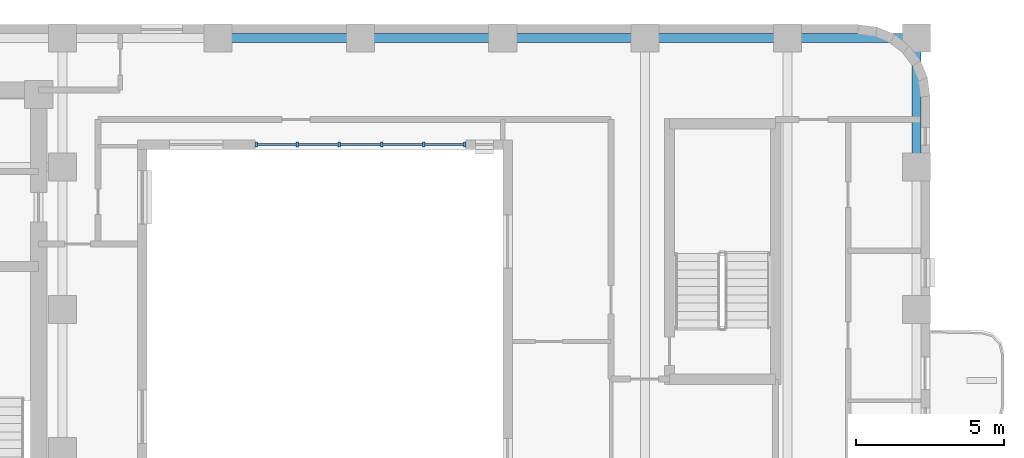
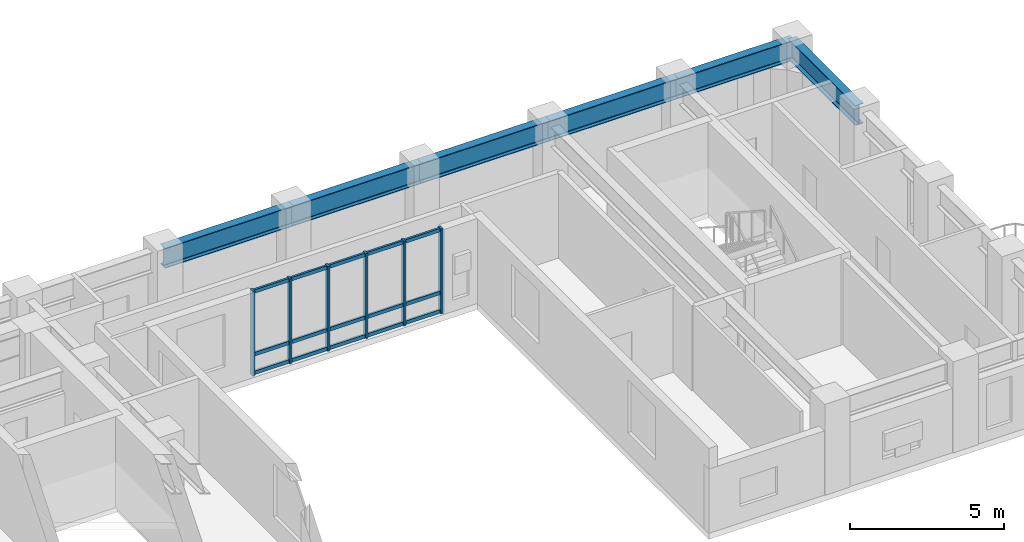
# One storey, part 2 of 11: 21 members, 6 beams, 1 element without a shape of its own.
"""IFC4 building model written with IfcOpenShell, lengths in metres."""

from ifc_helpers import new_model, si_unit, direction, frame, origin, origin_2d, place, context, subcontext, project, spatial, rectangle, i_section, extrude, material, material_profile, profile_set, type_object, element, aggregate, save


model = new_model("IFC4")

# Units and contexts
model_context = context("Model", 3, precision=1e-05, world=origin(), true_north=direction((0.0, 1.0)))
body_context = subcontext(model_context, "Body", "Model", "MODEL_VIEW")
ifc_project = project(units=[si_unit("LENGTHUNIT", "METRE"), si_unit("AREAUNIT", "SQUARE_METRE"), si_unit("VOLUMEUNIT", "CUBIC_METRE"), si_unit("PLANEANGLEUNIT", "RADIAN"), si_unit("MASSUNIT", "GRAM", prefix="KILO")], contexts=[model_context])

# Site, building, storey
site_placement = place(None, origin())
site = spatial("IfcSite", under=ifc_project, at=site_placement, CompositionType="ELEMENT")
building_placement = place(site_placement, origin())
building = spatial("IfcBuilding", under=site, at=building_placement, Name="Orvandelia Arch Residences", CompositionType="ELEMENT")
storey_placement = place(building_placement, frame((0.0, 0.0, 161.199951171875)))
storey = spatial("IfcBuildingStorey", under=building, at=storey_placement, Name="L42", CompositionType="ELEMENT", Elevation=161.199951171875)

# Beams
ifc_material_1 = material(Name="Structural Steel SM355 (355 MPa)", Category="steel")
ifc_material_profile_1 = material_profile(ifc_material_1, i_section(OverallWidth=0.300048828125, OverallDepth=0.800048828125, WebThickness=0.013916015625, FlangeThickness=0.02587890625, FilletRadius=0.02587890625, at=origin_2d()), Name="Structural Steel SM355 (355 MPa)", Category="steel")
ifc_profile_set_1 = profile_set([ifc_material_profile_1], Name="Structural Steel SM355 (355 MPa)")
beam_type = type_object("IfcBeamType", Name="BM-GRD-H800", PredefinedType="BEAM", material=ifc_profile_set_1)
beam_1_placement = place(storey_placement, frame((52.35009765625, 43.199951171875, 2.9599609375), z_axis=(0.0, 1.0, 0.0), x_axis=(-1.0, 0.0, 0.0)))
element("IfcBeam", 1, at=beam_1_placement, inside=storey, type_object=beam_type, Name="Structural Frame Beam L42-NS-021", PredefinedType="BEAM", context=body_context, shape_type="SweptSolid", body=[
    extrude(i_section(OverallWidth=0.300048828125, OverallDepth=0.800048828125, WebThickness=0.013916015625, FlangeThickness=0.02587890625, FilletRadius=0.02587890625, at=origin_2d()), origin(), (0.0, 0.0, 1.0), 4.35009765625),
])
beam_2_placement = place(storey_placement, frame((28.800048828125, 47.550048828125, 2.9599609375), z_axis=(1.0, 0.0, 0.0), x_axis=(0.0, 1.0, 0.0)))
element("IfcBeam", 2, at=beam_2_placement, inside=storey, type_object=beam_type, Name="Structural Frame Girder L42-EW-039", PredefinedType="BEAM", context=body_context, shape_type="SweptSolid", body=[
    extrude(i_section(OverallWidth=0.300048828125, OverallDepth=0.800048828125, WebThickness=0.013916015625, FlangeThickness=0.02587890625, FilletRadius=0.02587890625, at=origin_2d()), origin(), (0.0, 0.0, 1.0), 4.800048828125),
])
beam_3_placement = place(storey_placement, frame((33.60009765625, 47.550048828125, 2.9599609375), z_axis=(1.0, 0.0, 0.0), x_axis=(0.0, 1.0, 0.0)))
element("IfcBeam", 3, at=beam_3_placement, inside=storey, type_object=beam_type, Name="Structural Frame Girder L42-EW-040", PredefinedType="BEAM", context=body_context, shape_type="SweptSolid", body=[
    extrude(i_section(OverallWidth=0.300048828125, OverallDepth=0.800048828125, WebThickness=0.013916015625, FlangeThickness=0.02587890625, FilletRadius=0.02587890625, at=origin_2d()), origin(), (0.0, 0.0, 1.0), 4.7998046875),
])
for number, where, z_axis, x_axis, name in (
    (4, (38.39990234375, 47.550048828125, 2.9599609375), (1.0, 0.0, 0.0), (0.0, 1.0, 0.0), "Structural Frame Girder L42-EW-041"),
    (5, (43.199951171875, 47.550048828125, 2.9599609375), (1.0, 0.0, 0.0), (0.0, 1.0, 0.0), "Structural Frame Girder L42-EW-042"),
):
    element("IfcBeam", number, at=place(storey_placement, frame(where, z_axis=z_axis, x_axis=x_axis)), inside=storey, type_object=beam_type, Name=name, PredefinedType="BEAM", context=body_context, shape_type="SweptSolid", body=[
        extrude(i_section(OverallWidth=0.300048828125, OverallDepth=0.800048828125, WebThickness=0.013916015625, FlangeThickness=0.02587890625, FilletRadius=0.02587890625, at=origin_2d()), origin(), (0.0, 0.0, 1.0), 4.800048828125),
    ])
beam_4_placement = place(storey_placement, frame((48.0, 47.550048828125, 2.9599609375), z_axis=(1.0, 0.0, 0.0), x_axis=(0.0, 1.0, 0.0)))
element("IfcBeam", 6, at=beam_4_placement, inside=storey, type_object=beam_type, Name="Structural Frame Girder L42-EW-043", PredefinedType="BEAM", context=body_context, shape_type="SweptSolid", body=[
    extrude(i_section(OverallWidth=0.300048828125, OverallDepth=0.800048828125, WebThickness=0.013916015625, FlangeThickness=0.02587890625, FilletRadius=0.02587890625, at=origin_2d()), origin(), (0.0, 0.0, 1.0), 4.35009765625),
])

# Curtain wall, members
ifc_material_2 = material(Name="Anodised Bronze Curtain Wall Assembly")
curtain_wall_type = type_object("IfcCurtainWallType", Name="CW-SYS4-PORTAL", PredefinedType="NOTDEFINED", material=ifc_material_2)
curtain_wall_placement = place(storey_placement, origin())
curtain_wall = element("IfcCurtainWall", 7, at=curtain_wall_placement, inside=storey, type_object=curtain_wall_type, Name="Void-Portal Bridge Curtain Wall L42 1", PredefinedType="NOTDEFINED")
ifc_material_3 = material(Name="Anodised Aluminium Alloy 6063-T6", Category="aluminium")
ifc_material_profile_2 = material_profile(ifc_material_3, rectangle(XDim=0.080078125, YDim=0.179931640625, at=origin_2d()), Name="Anodised Aluminium Alloy 6063-T6", Category="aluminium")
ifc_profile_set_2 = profile_set([ifc_material_profile_2], Name="Anodised Aluminium Alloy 6063-T6")
member_type_1 = type_object("IfcMemberType", Name="CW-MULLION-80x160", PredefinedType="MULLION", material=ifc_profile_set_2)
member_1_placement = place(storey_placement, frame((30.080078125, 43.9599609375, 0.0), z_axis=(0.0, 0.0, 1.0), x_axis=(1.0, 0.0, 0.0)))
member_1 = element("IfcMember", 8, at=member_1_placement, type_object=member_type_1, Name="Curtain Wall Mullion CW-L42-1-M1", PredefinedType="MULLION", context=body_context, shape_type="SweptSolid", body=[
    extrude(rectangle(XDim=0.080078125, YDim=0.179931640625, at=origin_2d()), origin(), (0.0, 0.0, 1.0), 3.360107421875),
])
member_2_placement = place(storey_placement, frame((31.464111328125, 43.9599609375, 0.0), z_axis=(0.0, 0.0, 1.0), x_axis=(1.0, 0.0, 0.0)))
member_2 = element("IfcMember", 9, at=member_2_placement, type_object=member_type_1, Name="Curtain Wall Mullion CW-L42-1-M2", PredefinedType="MULLION", context=body_context, shape_type="SweptSolid", body=[
    extrude(rectangle(XDim=0.080078125, YDim=0.179931640625, at=origin_2d()), origin(), (0.0, 0.0, 1.0), 3.360107421875),
])
member_3_placement = place(storey_placement, frame((32.887939453125, 43.9599609375, 0.0), z_axis=(0.0, 0.0, 1.0), x_axis=(1.0, 0.0, 0.0)))
member_3 = element("IfcMember", 10, at=member_3_placement, type_object=member_type_1, Name="Curtain Wall Mullion CW-L42-1-M3", PredefinedType="MULLION", context=body_context, shape_type="SweptSolid", body=[
    extrude(rectangle(XDim=0.080078125, YDim=0.179931640625, at=origin_2d()), origin(), (0.0, 0.0, 1.0), 3.360107421875),
])
member_4_placement = place(storey_placement, frame((34.31201171875, 43.9599609375, 0.0), z_axis=(0.0, 0.0, 1.0), x_axis=(1.0, 0.0, 0.0)))
member_4 = element("IfcMember", 11, at=member_4_placement, type_object=member_type_1, Name="Curtain Wall Mullion CW-L42-1-M4", PredefinedType="MULLION", context=body_context, shape_type="SweptSolid", body=[
    extrude(rectangle(XDim=0.080078125, YDim=0.179931640625, at=origin_2d()), origin(), (0.0, 0.0, 1.0), 3.360107421875),
])
member_5_placement = place(storey_placement, frame((35.736083984375, 43.9599609375, 0.0), z_axis=(0.0, 0.0, 1.0), x_axis=(1.0, 0.0, 0.0)))
member_5 = element("IfcMember", 12, at=member_5_placement, type_object=member_type_1, Name="Curtain Wall Mullion CW-L42-1-M5", PredefinedType="MULLION", context=body_context, shape_type="SweptSolid", body=[
    extrude(rectangle(XDim=0.080078125, YDim=0.179931640625, at=origin_2d()), origin(), (0.0, 0.0, 1.0), 3.360107421875),
])
member_6_placement = place(storey_placement, frame((37.1201171875, 43.9599609375, 0.0), z_axis=(0.0, 0.0, 1.0), x_axis=(1.0, 0.0, 0.0)))
member_6 = element("IfcMember", 13, at=member_6_placement, type_object=member_type_1, Name="Curtain Wall Mullion CW-L42-1-M6", PredefinedType="MULLION", context=body_context, shape_type="SweptSolid", body=[
    extrude(rectangle(XDim=0.080078125, YDim=0.179931640625, at=origin_2d()), origin(), (0.0, 0.0, 1.0), 3.360107421875),
])
ifc_material_profile_3 = material_profile(ifc_material_3, rectangle(XDim=0.080078125, YDim=0.139892578125, at=origin_2d()), Name="Anodised Aluminium Alloy 6063-T6", Category="aluminium")
ifc_profile_set_3 = profile_set([ifc_material_profile_3], Name="Anodised Aluminium Alloy 6063-T6")
member_type_2 = type_object("IfcMemberType", Name="CW-TRANSOM-80x140", PredefinedType="USERDEFINED", material=ifc_profile_set_3)
member_7_placement = place(storey_placement, frame((30.10498046875, 43.9599609375, 0.070068359375), z_axis=(1.0, 0.0, 0.0), x_axis=(0.0, 1.0, 0.0)))
member_7 = element("IfcMember", 14, at=member_7_placement, type_object=member_type_2, Name="Curtain Wall Transom CW-L42-1-T1-1", ObjectType="TRANSOM", PredefinedType="USERDEFINED", context=body_context, shape_type="SweptSolid", body=[
    extrude(rectangle(XDim=0.080078125, YDim=0.139892578125, at=origin_2d()), origin(), (0.0, 0.0, 1.0), 1.333984375),
])
member_8_placement = place(storey_placement, frame((30.10498046875, 43.9599609375, 0.806396484375), z_axis=(1.0, 0.0, 0.0), x_axis=(0.0, 1.0, 0.0)))
member_8 = element("IfcMember", 15, at=member_8_placement, type_object=member_type_2, Name="Curtain Wall Transom CW-L42-1-T1-2", ObjectType="TRANSOM", PredefinedType="USERDEFINED", context=body_context, shape_type="SweptSolid", body=[
    extrude(rectangle(XDim=0.080078125, YDim=0.139892578125, at=origin_2d()), origin(), (0.0, 0.0, 1.0), 1.333984375),
])
member_9_placement = place(storey_placement, frame((30.10498046875, 43.9599609375, 3.2900390625), z_axis=(1.0, 0.0, 0.0), x_axis=(0.0, 1.0, 0.0)))
member_9 = element("IfcMember", 16, at=member_9_placement, type_object=member_type_2, Name="Curtain Wall Transom CW-L42-1-T1-3", ObjectType="TRANSOM", PredefinedType="USERDEFINED", context=body_context, shape_type="SweptSolid", body=[
    extrude(rectangle(XDim=0.080078125, YDim=0.139892578125, at=origin_2d()), origin(), (0.0, 0.0, 1.0), 1.333984375),
])
member_10_placement = place(storey_placement, frame((31.489013671875, 43.9599609375, 0.070068359375), z_axis=(1.0, 0.0, 0.0), x_axis=(0.0, 1.0, 0.0)))
member_10 = element("IfcMember", 17, at=member_10_placement, type_object=member_type_2, Name="Curtain Wall Transom CW-L42-1-T2-1", ObjectType="TRANSOM", PredefinedType="USERDEFINED", context=body_context, shape_type="SweptSolid", body=[
    extrude(rectangle(XDim=0.080078125, YDim=0.139892578125, at=origin_2d()), origin(), (0.0, 0.0, 1.0), 1.3740234375),
])
member_11_placement = place(storey_placement, frame((31.489013671875, 43.9599609375, 0.806396484375), z_axis=(1.0, 0.0, 0.0), x_axis=(0.0, 1.0, 0.0)))
member_11 = element("IfcMember", 18, at=member_11_placement, type_object=member_type_2, Name="Curtain Wall Transom CW-L42-1-T2-2", ObjectType="TRANSOM", PredefinedType="USERDEFINED", context=body_context, shape_type="SweptSolid", body=[
    extrude(rectangle(XDim=0.080078125, YDim=0.139892578125, at=origin_2d()), origin(), (0.0, 0.0, 1.0), 1.3740234375),
])
member_12_placement = place(storey_placement, frame((31.489013671875, 43.9599609375, 3.2900390625), z_axis=(1.0, 0.0, 0.0), x_axis=(0.0, 1.0, 0.0)))
member_12 = element("IfcMember", 19, at=member_12_placement, type_object=member_type_2, Name="Curtain Wall Transom CW-L42-1-T2-3", ObjectType="TRANSOM", PredefinedType="USERDEFINED", context=body_context, shape_type="SweptSolid", body=[
    extrude(rectangle(XDim=0.080078125, YDim=0.139892578125, at=origin_2d()), origin(), (0.0, 0.0, 1.0), 1.3740234375),
])
member_13_placement = place(storey_placement, frame((32.9130859375, 43.9599609375, 0.070068359375), z_axis=(1.0, 0.0, 0.0), x_axis=(0.0, 1.0, 0.0)))
member_13 = element("IfcMember", 20, at=member_13_placement, type_object=member_type_2, Name="Curtain Wall Transom CW-L42-1-T3-1", ObjectType="TRANSOM", PredefinedType="USERDEFINED", context=body_context, shape_type="SweptSolid", body=[
    extrude(rectangle(XDim=0.080078125, YDim=0.139892578125, at=origin_2d()), origin(), (0.0, 0.0, 1.0), 1.3740234375),
])
member_14_placement = place(storey_placement, frame((32.9130859375, 43.9599609375, 0.806396484375), z_axis=(1.0, 0.0, 0.0), x_axis=(0.0, 1.0, 0.0)))
member_14 = element("IfcMember", 21, at=member_14_placement, type_object=member_type_2, Name="Curtain Wall Transom CW-L42-1-T3-2", ObjectType="TRANSOM", PredefinedType="USERDEFINED", context=body_context, shape_type="SweptSolid", body=[
    extrude(rectangle(XDim=0.080078125, YDim=0.139892578125, at=origin_2d()), origin(), (0.0, 0.0, 1.0), 1.3740234375),
])
member_15_placement = place(storey_placement, frame((32.9130859375, 43.9599609375, 3.2900390625), z_axis=(1.0, 0.0, 0.0), x_axis=(0.0, 1.0, 0.0)))
member_15 = element("IfcMember", 22, at=member_15_placement, type_object=member_type_2, Name="Curtain Wall Transom CW-L42-1-T3-3", ObjectType="TRANSOM", PredefinedType="USERDEFINED", context=body_context, shape_type="SweptSolid", body=[
    extrude(rectangle(XDim=0.080078125, YDim=0.139892578125, at=origin_2d()), origin(), (0.0, 0.0, 1.0), 1.3740234375),
])
member_16_placement = place(storey_placement, frame((34.3369140625, 43.9599609375, 0.070068359375), z_axis=(1.0, 0.0, 0.0), x_axis=(0.0, 1.0, 0.0)))
member_16 = element("IfcMember", 23, at=member_16_placement, type_object=member_type_2, Name="Curtain Wall Transom CW-L42-1-T4-1", ObjectType="TRANSOM", PredefinedType="USERDEFINED", context=body_context, shape_type="SweptSolid", body=[
    extrude(rectangle(XDim=0.080078125, YDim=0.139892578125, at=origin_2d()), origin(), (0.0, 0.0, 1.0), 1.3740234375),
])
member_17_placement = place(storey_placement, frame((34.3369140625, 43.9599609375, 0.806396484375), z_axis=(1.0, 0.0, 0.0), x_axis=(0.0, 1.0, 0.0)))
member_17 = element("IfcMember", 24, at=member_17_placement, type_object=member_type_2, Name="Curtain Wall Transom CW-L42-1-T4-2", ObjectType="TRANSOM", PredefinedType="USERDEFINED", context=body_context, shape_type="SweptSolid", body=[
    extrude(rectangle(XDim=0.080078125, YDim=0.139892578125, at=origin_2d()), origin(), (0.0, 0.0, 1.0), 1.3740234375),
])
member_18_placement = place(storey_placement, frame((34.3369140625, 43.9599609375, 3.2900390625), z_axis=(1.0, 0.0, 0.0), x_axis=(0.0, 1.0, 0.0)))
member_18 = element("IfcMember", 25, at=member_18_placement, type_object=member_type_2, Name="Curtain Wall Transom CW-L42-1-T4-3", ObjectType="TRANSOM", PredefinedType="USERDEFINED", context=body_context, shape_type="SweptSolid", body=[
    extrude(rectangle(XDim=0.080078125, YDim=0.139892578125, at=origin_2d()), origin(), (0.0, 0.0, 1.0), 1.3740234375),
])
member_19_placement = place(storey_placement, frame((35.760986328125, 43.9599609375, 0.070068359375), z_axis=(1.0, 0.0, 0.0), x_axis=(0.0, 1.0, 0.0)))
member_19 = element("IfcMember", 26, at=member_19_placement, type_object=member_type_2, Name="Curtain Wall Transom CW-L42-1-T5-1", ObjectType="TRANSOM", PredefinedType="USERDEFINED", context=body_context, shape_type="SweptSolid", body=[
    extrude(rectangle(XDim=0.080078125, YDim=0.139892578125, at=origin_2d()), origin(), (0.0, 0.0, 1.0), 1.333984375),
])
member_20_placement = place(storey_placement, frame((35.760986328125, 43.9599609375, 0.806396484375), z_axis=(1.0, 0.0, 0.0), x_axis=(0.0, 1.0, 0.0)))
member_20 = element("IfcMember", 27, at=member_20_placement, type_object=member_type_2, Name="Curtain Wall Transom CW-L42-1-T5-2", ObjectType="TRANSOM", PredefinedType="USERDEFINED", context=body_context, shape_type="SweptSolid", body=[
    extrude(rectangle(XDim=0.080078125, YDim=0.139892578125, at=origin_2d()), origin(), (0.0, 0.0, 1.0), 1.333984375),
])
member_21_placement = place(storey_placement, frame((35.760986328125, 43.9599609375, 3.2900390625), z_axis=(1.0, 0.0, 0.0), x_axis=(0.0, 1.0, 0.0)))
member_21 = element("IfcMember", 28, at=member_21_placement, type_object=member_type_2, Name="Curtain Wall Transom CW-L42-1-T5-3", ObjectType="TRANSOM", PredefinedType="USERDEFINED", context=body_context, shape_type="SweptSolid", body=[
    extrude(rectangle(XDim=0.080078125, YDim=0.139892578125, at=origin_2d()), origin(), (0.0, 0.0, 1.0), 1.333984375),
])
aggregate(curtain_wall, [member_1, member_2, member_3, member_4, member_5, member_6, member_7, member_8, member_9, member_10, member_11, member_12, member_13, member_14, member_15, member_16, member_17, member_18, member_19, member_20, member_21])

save(model, "model.ifc")
